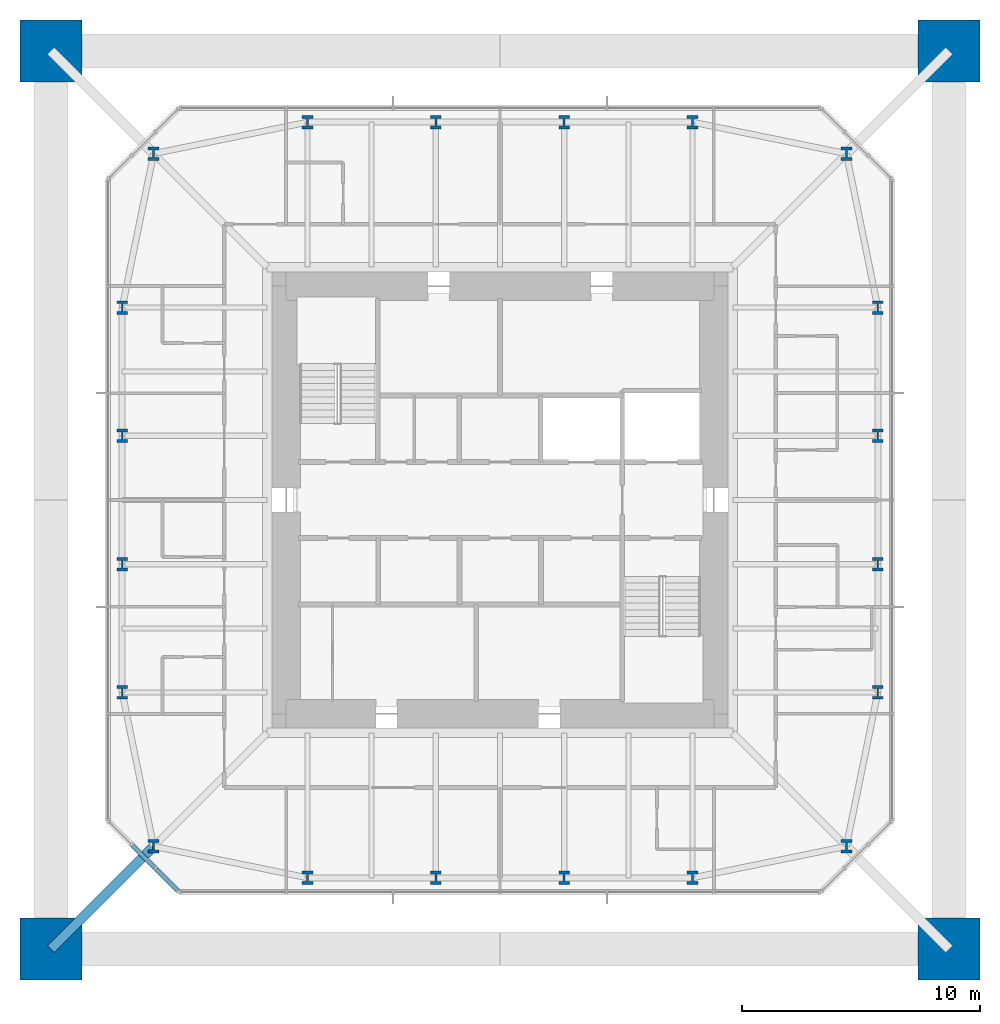
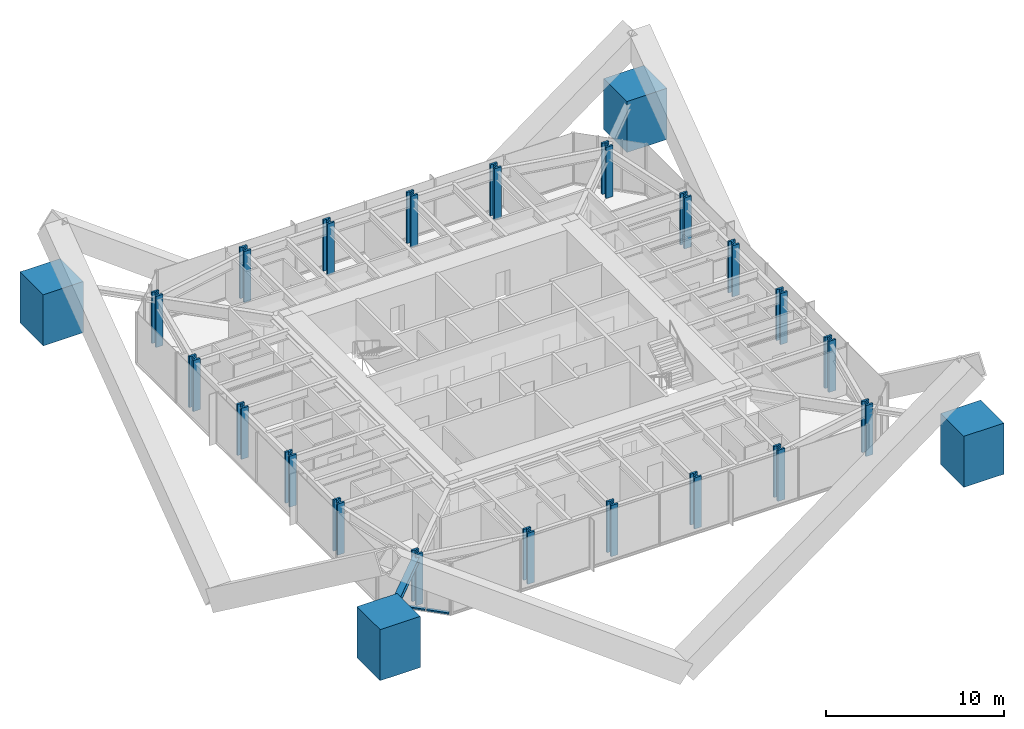
# One storey, part 1 of 10: 24 columns, 3 members, 1 element without a shape of its own.
"""IFC4 building model written with IfcOpenShell, lengths in metres."""

from ifc_helpers import new_model, si_unit, direction, frame, origin, origin_2d, place, context, subcontext, project, spatial, rectangle, i_section, extrude, material, material_profile, profile_set, type_object, element, aggregate, save


model = new_model("IFC4")

# Units and contexts
model_context = context("Model", 3, precision=1e-05, world=origin(), true_north=direction((0.0, 1.0)))
body_context = subcontext(model_context, "Body", "Model", "MODEL_VIEW")
ifc_project = project(units=[si_unit("LENGTHUNIT", "METRE"), si_unit("AREAUNIT", "SQUARE_METRE"), si_unit("VOLUMEUNIT", "CUBIC_METRE"), si_unit("PLANEANGLEUNIT", "RADIAN"), si_unit("MASSUNIT", "GRAM", prefix="KILO")], contexts=[model_context])

# Site, building, storey
site_placement = place(None, origin())
site = spatial("IfcSite", under=ifc_project, at=site_placement, CompositionType="ELEMENT")
building_placement = place(site_placement, origin())
building = spatial("IfcBuilding", under=site, at=building_placement, Name="Iwan Alto Co-Living Towers", CompositionType="ELEMENT")
storey_placement = place(building_placement, frame((0.0, 0.0, 260.5)))
storey = spatial("IfcBuildingStorey", under=building, at=storey_placement, Name="L71", CompositionType="ELEMENT", Elevation=260.5)

# Columns
ifc_material_1 = material(Name="Concrete f'c 70 MPa", Category="concrete")
ifc_material_profile_1 = material_profile(ifc_material_1, rectangle(XDim=2.60009765625, YDim=2.60009765625, at=origin_2d()), Name="RC 2600X2600")
ifc_profile_set_1 = profile_set([ifc_material_profile_1], Name="Concrete f'c 70 MPa")
column_type_1 = type_object("IfcColumnType", Name="T1 MEGA COLUMN RC 2600X2600", PredefinedType="COLUMN", material=ifc_profile_set_1)
for number, where, z_axis, x_axis, name in (
    (1, (-18.89990234375, -18.89990234375, 0.0), (0.0, 0.0, 1.0), (1.0, 0.0, 0.0), "T1 mega column SW L71"),
    (2, (18.89990234375, -18.89990234375, 0.0), (0.0, 0.0, 1.0), (1.0, 0.0, 0.0), "T1 mega column SE L71"),
    (3, (18.89990234375, 18.89990234375, 0.0), (0.0, 0.0, 1.0), (1.0, 0.0, 0.0), "T1 mega column NE L71"),
    (4, (-18.89990234375, 18.89990234375, 0.0), (0.0, 0.0, 1.0), (1.0, 0.0, 0.0), "T1 mega column NW L71"),
):
    element("IfcColumn", number, at=place(storey_placement, frame(where, z_axis=z_axis, x_axis=x_axis)), inside=storey, type_object=column_type_1, Name=name, PredefinedType="COLUMN", context=body_context, shape_type="SweptSolid", body=[
        extrude(rectangle(XDim=2.60009765625, YDim=2.60009765625, at=origin_2d()), origin(), (0.0, 0.0, 1.0), 3.5),
        extrude(i_section(OverallWidth=0.4775390625, OverallDepth=0.599365234375, WebThickness=0.10009765625, FlangeThickness=0.139892578125, at=origin_2d()), origin(), (0.0, 0.0, 1.0), 3.5),
    ])
ifc_material_2 = material(Name="Steel ASTM A992 Gr 50", Category="steel")
ifc_material_profile_2 = material_profile(ifc_material_2, i_section(OverallWidth=0.45458984375, OverallDepth=0.56884765625, WebThickness=0.077880859375, FlangeThickness=0.124755859375, at=origin_2d()), Name="W14X730")
ifc_profile_set_2 = profile_set([ifc_material_profile_2], Name="Steel ASTM A992 Gr 50")
column_type_2 = type_object("IfcColumnType", Name="T1 RING COLUMN W14X730", PredefinedType="COLUMN", material=ifc_profile_set_2)
for number, where, z_axis, x_axis, name in (
    (5, (-14.57568359375, -14.57568359375, 0.0), (0.0, 0.0, 1.0), (1.0, 0.0, 0.0), "T1 ring column CSW L71"),
    (6, (-8.10009765625, -15.89990234375, 0.0), (0.0, 0.0, 1.0), (1.0, 0.0, 0.0), "T1 ring column S1 L71"),
    (7, (-2.699951171875, -15.89990234375, 0.0), (0.0, 0.0, 1.0), (1.0, 0.0, 0.0), "T1 ring column S2 L71"),
    (8, (2.699951171875, -15.89990234375, 0.0), (0.0, 0.0, 1.0), (1.0, 0.0, 0.0), "T1 ring column S3 L71"),
    (9, (8.10009765625, -15.89990234375, 0.0), (0.0, 0.0, 1.0), (1.0, 0.0, 0.0), "T1 ring column S4 L71"),
    (10, (14.57568359375, -14.57568359375, 0.0), (0.0, 0.0, 1.0), (1.0, 0.0, 0.0), "T1 ring column CSE L71"),
    (11, (15.89990234375, -8.10009765625, 0.0), (0.0, 0.0, 1.0), (1.0, 0.0, 0.0), "T1 ring column E1 L71"),
    (12, (15.89990234375, -2.699951171875, 0.0), (0.0, 0.0, 1.0), (1.0, 0.0, 0.0), "T1 ring column E2 L71"),
    (13, (15.89990234375, 2.699951171875, 0.0), (0.0, 0.0, 1.0), (1.0, 0.0, 0.0), "T1 ring column E3 L71"),
    (14, (15.89990234375, 8.10009765625, 0.0), (0.0, 0.0, 1.0), (1.0, 0.0, 0.0), "T1 ring column E4 L71"),
    (15, (14.57568359375, 14.57568359375, 0.0), (0.0, 0.0, 1.0), (1.0, 0.0, 0.0), "T1 ring column CNE L71"),
    (16, (8.10009765625, 15.89990234375, 0.0), (0.0, 0.0, 1.0), (1.0, 0.0, 0.0), "T1 ring column N1 L71"),
    (17, (2.699951171875, 15.89990234375, 0.0), (0.0, 0.0, 1.0), (1.0, 0.0, 0.0), "T1 ring column N2 L71"),
    (18, (-2.699951171875, 15.89990234375, 0.0), (0.0, 0.0, 1.0), (1.0, 0.0, 0.0), "T1 ring column N3 L71"),
    (19, (-8.10009765625, 15.89990234375, 0.0), (0.0, 0.0, 1.0), (1.0, 0.0, 0.0), "T1 ring column N4 L71"),
    (20, (-14.57568359375, 14.57568359375, 0.0), (0.0, 0.0, 1.0), (1.0, 0.0, 0.0), "T1 ring column CNW L71"),
    (21, (-15.89990234375, 8.10009765625, 0.0), (0.0, 0.0, 1.0), (1.0, 0.0, 0.0), "T1 ring column W1 L71"),
    (22, (-15.89990234375, 2.699951171875, 0.0), (0.0, 0.0, 1.0), (1.0, 0.0, 0.0), "T1 ring column W2 L71"),
    (23, (-15.89990234375, -2.699951171875, 0.0), (0.0, 0.0, 1.0), (1.0, 0.0, 0.0), "T1 ring column W3 L71"),
    (24, (-15.89990234375, -8.10009765625, 0.0), (0.0, 0.0, 1.0), (1.0, 0.0, 0.0), "T1 ring column W4 L71"),
):
    element("IfcColumn", number, at=place(storey_placement, frame(where, z_axis=z_axis, x_axis=x_axis)), inside=storey, type_object=column_type_2, Name=name, PredefinedType="COLUMN", context=body_context, shape_type="SweptSolid", body=[
        extrude(i_section(OverallWidth=0.45458984375, OverallDepth=0.56884765625, WebThickness=0.077880859375, FlangeThickness=0.124755859375, at=origin_2d()), origin(), (0.0, 0.0, 1.0), 3.5),
    ])

# Curtain wall, members
ifc_material_3 = material(Name="Bronze aluminium unitised frame", Category="aluminium")
curtain_wall_type = type_object("IfcCurtainWallType", Name="CURTAIN WALL CW-B", PredefinedType="NOTDEFINED", material=ifc_material_3)
curtain_wall_placement = place(storey_placement, origin())
curtain_wall = element("IfcCurtainWall", 25, at=curtain_wall_placement, inside=storey, type_object=curtain_wall_type, Name="T1 chamfer curtain wall SW L71", PredefinedType="NOTDEFINED")
ifc_material_4 = material(Name="Aluminium 6063-T6 bronze anodised", Category="aluminium")
ifc_material_profile_3 = material_profile(ifc_material_4, rectangle(XDim=0.199951171875, YDim=0.10009765625, at=origin_2d()), Name="AL 200X100")
ifc_profile_set_3 = profile_set([ifc_material_profile_3], Name="Aluminium 6063-T6 bronze anodised")
member_type_1 = type_object("IfcMemberType", Name="CW-B TRANSOM 200X100", PredefinedType="USERDEFINED", material=ifc_profile_set_3)
member_1_placement = place(storey_placement, frame((-15.4716796875, -14.5283203125, 0.050048828125), z_axis=(0.707106781187, -0.707106781187, 0.0), x_axis=(0.707106781187, 0.707106781187, 0.0)))
member_1 = element("IfcMember", 26, at=member_1_placement, type_object=member_type_1, Name="CW-B transom 2.1", ObjectType="TRANSOM", PredefinedType="USERDEFINED", context=body_context, shape_type="SweptSolid", body=[
    extrude(rectangle(XDim=0.199951171875, YDim=0.10009765625, at=origin_2d()), origin(), (0.0, 0.0, 1.0), 1.334228515625),
])
member_2_placement = place(storey_placement, frame((-14.4716796875, -15.5283203125, 0.050048828125), z_axis=(0.707106781187, -0.707106781187, 0.0), x_axis=(0.707106781187, 0.707106781187, 0.0)))
member_2 = element("IfcMember", 27, at=member_2_placement, type_object=member_type_1, Name="CW-B transom 3.1", ObjectType="TRANSOM", PredefinedType="USERDEFINED", context=body_context, shape_type="SweptSolid", body=[
    extrude(rectangle(XDim=0.199951171875, YDim=0.10009765625, at=origin_2d()), origin(), (0.0, 0.0, 1.0), 1.2939453125),
])
aggregate(curtain_wall, [member_1, member_2])

# Member
ifc_material_5 = material(Name="Steel ASTM A992 Gr 50", Category="steel")
ifc_material_profile_4 = material_profile(ifc_material_5, i_section(OverallWidth=0.393798828125, OverallDepth=0.3759765625, WebThickness=0.017333984375, FlangeThickness=0.027587890625, at=origin_2d()), Name="W14X145")
ifc_profile_set_4 = profile_set([ifc_material_profile_4], Name="Steel ASTM A992 Gr 50")
member_type_2 = type_object("IfcMemberType", Name="T1 MEGA COLUMN FLOOR TIE W14X145", PredefinedType="STRUT", material=ifc_profile_set_4)
member_3_placement = place(storey_placement, frame((-18.89990234375, -18.89990234375, 3.08203125), z_axis=(0.707106781187, 0.707106781187, 0.0), x_axis=(-0.707106781187, 0.707106781187, 0.0)))
element("IfcMember", 28, at=member_3_placement, inside=storey, type_object=member_type_2, Name="T1 mega column floor tie SW L72", PredefinedType="STRUT", context=body_context, shape_type="SweptSolid", body=[
    extrude(i_section(OverallWidth=0.393798828125, OverallDepth=0.3759765625, WebThickness=0.017333984375, FlangeThickness=0.027587890625, at=origin_2d()), origin(), (0.0, 0.0, 1.0), 6.115478515625),
])

save(model, "model.ifc")
